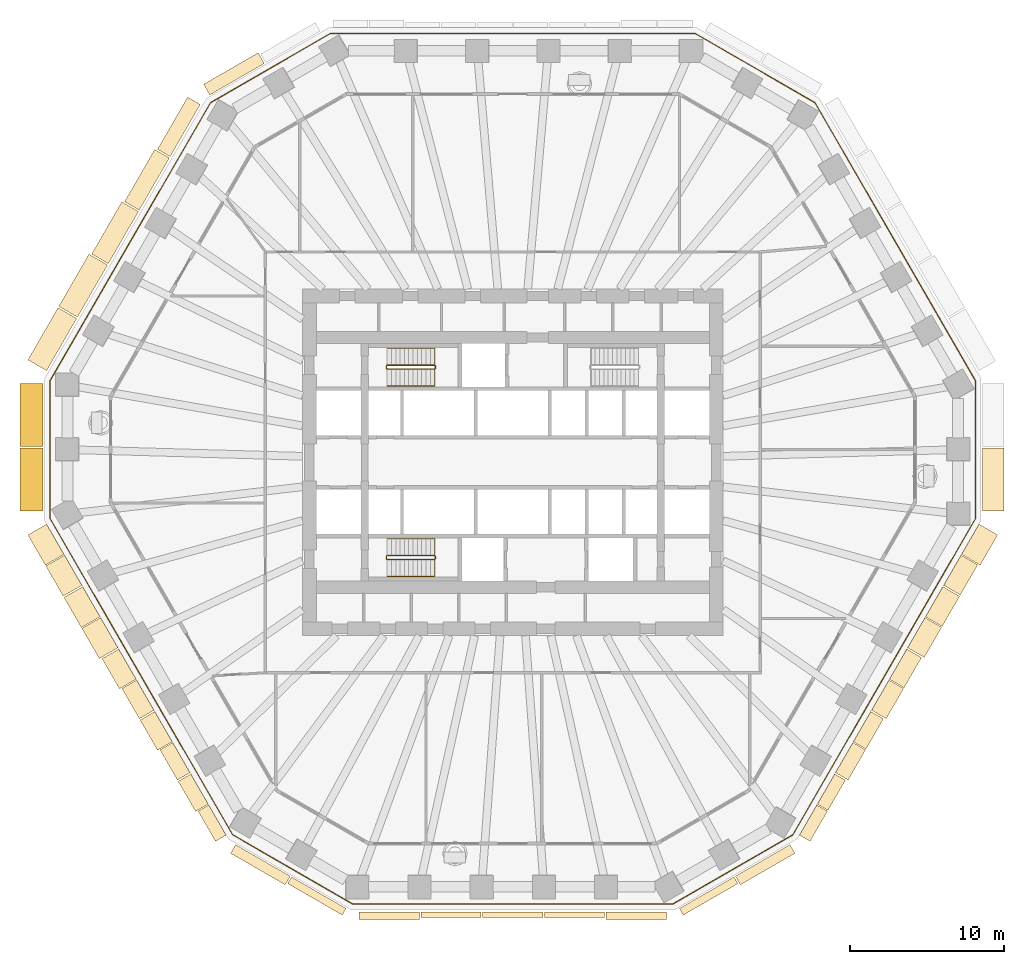
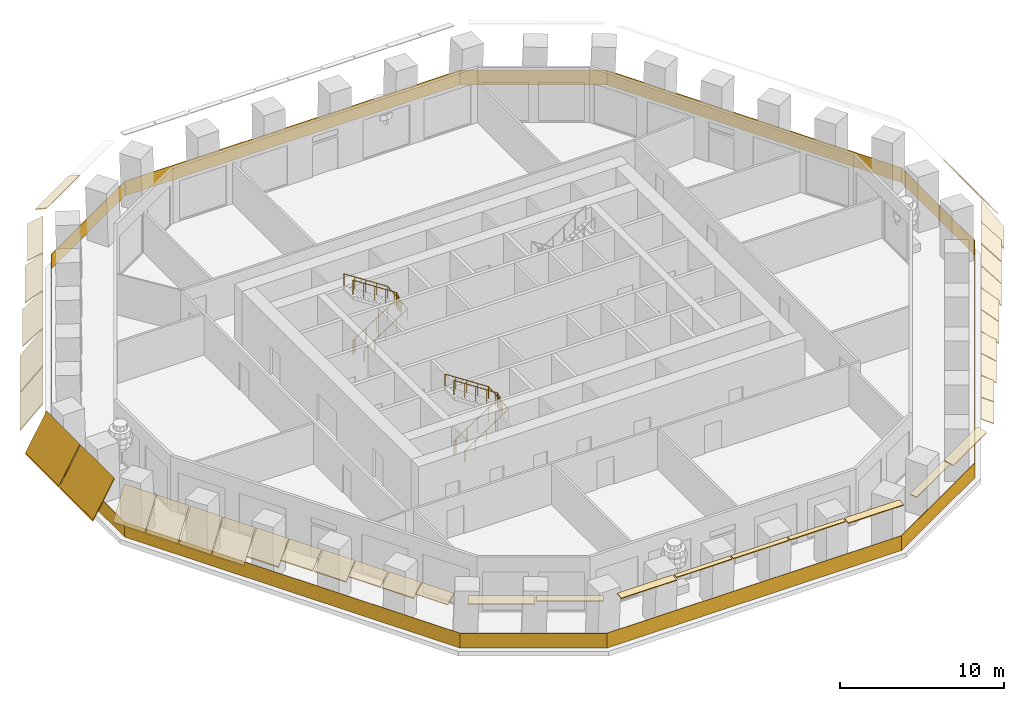
# One storey, part 9 of 12: 38 coverings, 5 railings.
"""IFC4 building model written with IfcOpenShell, lengths in metres."""

from ifc_helpers import new_model, si_unit, direction, frame, origin, origin_2d, place, context, subcontext, project, spatial, polyline, rectangle, circle, outline, extrude, material, layer, layer_set, type_object, element, save


model = new_model("IFC4")

# Units and contexts
model_context = context("Model", 3, precision=1e-05, world=origin(), true_north=direction((0.0, 1.0)))
body_context = subcontext(model_context, "Body", "Model", "MODEL_VIEW")
ifc_project = project(units=[si_unit("LENGTHUNIT", "METRE"), si_unit("AREAUNIT", "SQUARE_METRE"), si_unit("VOLUMEUNIT", "CUBIC_METRE"), si_unit("PLANEANGLEUNIT", "RADIAN"), si_unit("MASSUNIT", "GRAM", prefix="KILO")], contexts=[model_context])

# Site, building, storey
site_placement = place(None, origin())
site = spatial("IfcSite", under=ifc_project, at=site_placement, CompositionType="ELEMENT")
building_placement = place(site_placement, origin())
building = spatial("IfcBuilding", under=site, at=building_placement, Name="Frailejon Research Tower", CompositionType="ELEMENT")
storey_placement = place(building_placement, frame((0.0, 0.0, 41.0)))
storey = spatial("IfcBuildingStorey", under=building, at=storey_placement, Name="L09", CompositionType="ELEMENT", Elevation=41.0)

# Coverings
ifc_material_1 = material(Name="Precast concrete C50/60", Category="concrete")
ifc_layer_1 = layer(ifc_material_1, 0.06005859375)
ifc_layer_set_1 = layer_set([ifc_layer_1], Name="Brim blade depth 1100")
covering_type_1 = type_object("IfcCoveringType", Name="Brim blade depth 1100", PredefinedType="CLADDING", material=ifc_layer_set_1)
covering_1_placement = place(storey_placement, frame((-24.23291015625, 16.363037109375, 4.25), z_axis=(0.500008235109, 0.86602064919, 0.0), x_axis=(-0.86602064919, 0.500008235109, 0.0)))
element("IfcCovering", 1, at=covering_1_placement, inside=storey, type_object=covering_type_1, Name="Brim blade L09", PredefinedType="CLADDING", context=body_context, shape_type="SweptSolid", body=[
    extrude(outline(polyline([(0.0, -0.078369140625), (1.10009765625, -1.001220703125), (1.10009765625, -0.923095703125), (0.0, 0.0), (0.0, -0.078369140625)])), origin(), (0.0, 0.0, 1.0), 3.908203125),
])
for number, where, z_axis, x_axis, name in (
    (2, (-23.277099609375, -16.082763671875, 4.25), (-0.499993786927, 0.866028990874, 0.0), (-0.866028990874, -0.499993786927, 0.0), "Brim blade L09"),
    (3, (-22.097412109375, -18.126220703125, 4.25), (-0.500003041024, 0.866023648041, 0.0), (-0.866023648041, -0.500003041024, 0.0), "Brim blade L09"),
    (4, (24.406982421875, -14.1259765625, 4.25), (-0.499993786927, -0.866028990874, 0.0), (0.866028990874, -0.499993786927, 0.0), "Brim blade L09"),
    (5, (25.566650390625, -12.1171875, 4.25), (-0.499993786927, -0.866028990874, 0.0), (0.866028990874, -0.499993786927, 0.0), "Brim blade L09"),
):
    element("IfcCovering", number, at=place(storey_placement, frame(where, z_axis=z_axis, x_axis=x_axis)), inside=storey, type_object=covering_type_1, Name=name, PredefinedType="CLADDING", context=body_context, shape_type="SweptSolid", body=[
        extrude(outline(polyline([(0.0, -0.078369140625), (1.10009765625, -1.001220703125), (1.10009765625, -0.923095703125), (0.0, 0.0), (0.0, -0.078369140625)])), origin(), (0.0, 0.0, 1.0), 2.259521484375),
    ])
ifc_material_2 = material(Name="Precast concrete C50/60", Category="concrete")
ifc_layer_2 = layer(ifc_material_2, 0.06005859375)
ifc_layer_set_2 = layer_set([ifc_layer_2], Name="Brim blade depth 1250")
covering_type_2 = type_object("IfcCoveringType", Name="Brim blade depth 1250", PredefinedType="CLADDING", material=ifc_layer_set_2)
covering_2_placement = place(storey_placement, frame((-26.2373046875, 12.8916015625, 4.25), z_axis=(0.49999743218, 0.866026886311, 0.0), x_axis=(-0.866026886311, 0.49999743218, 0.0)))
element("IfcCovering", 6, at=covering_2_placement, inside=storey, type_object=covering_type_2, Name="Brim blade L09", PredefinedType="CLADDING", context=body_context, shape_type="SweptSolid", body=[
    extrude(outline(polyline([(0.0, -0.0888671875), (1.25, -1.452880859375), (1.25, -1.364013671875), (0.0, 0.0), (0.0, -0.0888671875)])), origin(), (0.0, 0.0, 1.0), 3.908447265625),
])
for number, where, z_axis, x_axis, name in (
    (7, (-24.43701171875, -14.073974609375, 4.25), (-0.499993786927, 0.866028990874, 0.0), (-0.866028990874, -0.499993786927, 0.0), "Brim blade L09"),
    (8, (26.746337890625, -10.07373046875, 4.25), (-0.500003041024, -0.866023648041, 0.0), (0.866023648041, -0.500003041024, 0.0), "Brim blade L09"),
    (9, (27.906005859375, -8.065185546875, 4.25), (-0.500003041024, -0.866023648041, 0.0), (0.866023648041, -0.500003041024, 0.0), "Brim blade L09"),
    (10, (29.0859375, -6.021728515625, 4.25), (-0.499993786927, -0.866028990874, 0.0), (0.866028990874, -0.499993786927, 0.0), "Brim blade L09"),
):
    element("IfcCovering", number, at=place(storey_placement, frame(where, z_axis=z_axis, x_axis=x_axis)), inside=storey, type_object=covering_type_2, Name=name, PredefinedType="CLADDING", context=body_context, shape_type="SweptSolid", body=[
        extrude(outline(polyline([(0.0, -0.0888671875), (1.25, -1.452880859375), (1.25, -1.364013671875), (0.0, 0.0), (0.0, -0.0888671875)])), origin(), (0.0, 0.0, 1.0), 2.259521484375),
    ])
ifc_material_3 = material(Name="Precast concrete C50/60", Category="concrete")
ifc_layer_3 = layer(ifc_material_3, 0.06005859375)
ifc_layer_set_3 = layer_set([ifc_layer_3], Name="Brim blade depth 1400")
covering_type_3 = type_object("IfcCoveringType", Name="Brim blade depth 1400", PredefinedType="CLADDING", material=ifc_layer_set_3)
covering_3_placement = place(storey_placement, frame((30.4716796875, 0.91796875, 4.25), z_axis=(0.0, -1.0, 0.0), x_axis=(1.0, 0.0, 0.0)))
element("IfcCovering", 11, at=covering_3_placement, inside=storey, type_object=covering_type_3, Name="Brim blade L09", PredefinedType="CLADDING", context=body_context, shape_type="SweptSolid", body=[
    extrude(outline(polyline([(0.0, -0.1044921875), (1.39990234375, -2.10400390625), (1.39990234375, -1.99951171875), (0.0, 0.0), (0.0, -0.1044921875)])), origin(), (0.0, 0.0, 1.0), 4.08740234375),
])
for number, where, z_axis, x_axis, name in (
    (12, (-28.241455078125, 9.420166015625, 4.25), (0.49999743218, 0.866026886311, 0.0), (-0.866026886311, 0.49999743218, 0.0), "Brim blade L09"),
    (13, (-30.24560546875, 5.94873046875, 4.25), (0.49999743218, 0.866026886311, 0.0), (-0.866026886311, 0.49999743218, 0.0), "Brim blade L09"),
):
    element("IfcCovering", number, at=place(storey_placement, frame(where, z_axis=z_axis, x_axis=x_axis)), inside=storey, type_object=covering_type_3, Name=name, PredefinedType="CLADDING", context=body_context, shape_type="SweptSolid", body=[
        extrude(outline(polyline([(0.0, -0.1044921875), (1.39990234375, -2.10400390625), (1.39990234375, -1.99951171875), (0.0, 0.0), (0.0, -0.1044921875)])), origin(), (0.0, 0.0, 1.0), 3.908447265625),
    ])
for number, where, z_axis, x_axis, name in (
    (14, (-29.115966796875, -5.9697265625, 4.25), (-0.499993786927, 0.866028990874, 0.0), (-0.866028990874, -0.499993786927, 0.0), "Brim blade L09"),
    (15, (-27.9560546875, -7.978515625, 4.25), (-0.499993786927, 0.866028990874, 0.0), (-0.866028990874, -0.499993786927, 0.0), "Brim blade L09"),
    (16, (-26.7763671875, -10.02197265625, 4.25), (-0.500003041024, 0.866023648041, 0.0), (-0.866023648041, -0.500003041024, 0.0), "Brim blade L09"),
    (17, (-25.61669921875, -12.030517578125, 4.25), (-0.500003041024, 0.866023648041, 0.0), (-0.866023648041, -0.500003041024, 0.0), "Brim blade L09"),
    (18, (30.24560546875, -4.012939453125, 4.25), (-0.499993786927, -0.866028990874, 0.0), (0.866028990874, -0.499993786927, 0.0), "Brim blade L09"),
):
    element("IfcCovering", number, at=place(storey_placement, frame(where, z_axis=z_axis, x_axis=x_axis)), inside=storey, type_object=covering_type_3, Name=name, PredefinedType="CLADDING", context=body_context, shape_type="SweptSolid", body=[
        extrude(outline(polyline([(0.0, -0.1044921875), (1.39990234375, -2.10400390625), (1.39990234375, -1.99951171875), (0.0, 0.0), (0.0, -0.1044921875)])), origin(), (0.0, 0.0, 1.0), 2.259521484375),
    ])
ifc_material_4 = material(Name="Precast concrete C50/60", Category="concrete")
ifc_layer_4 = layer(ifc_material_4, 0.06005859375)
ifc_layer_set_4 = layer_set([ifc_layer_4], Name="Brim blade depth 1500")
covering_type_4 = type_object("IfcCoveringType", Name="Brim blade depth 1500", PredefinedType="CLADDING", material=ifc_layer_set_4)
covering_4_placement = place(storey_placement, frame((-30.4716796875, 1.017822265625, 4.25), z_axis=(0.0, 1.0, 0.0), x_axis=(-1.0, 0.0, 0.0)))
element("IfcCovering", 19, at=covering_4_placement, inside=storey, type_object=covering_type_4, Name="Brim blade L09", PredefinedType="CLADDING", context=body_context, shape_type="SweptSolid", body=[
    extrude(outline(polyline([(0.0, -0.1201171875), (1.5, -2.718017578125), (1.5, -2.59814453125), (0.0, 0.0), (0.0, -0.1201171875)])), origin(), (0.0, 0.0, 1.0), 4.087646484375),
])
covering_5_placement = place(storey_placement, frame((-30.4716796875, -3.169677734375, 4.25), z_axis=(0.0, 1.0, 0.0), x_axis=(-1.0, 0.0, 0.0)))
element("IfcCovering", 20, at=covering_5_placement, inside=storey, type_object=covering_type_4, Name="Brim blade L09", PredefinedType="CLADDING", context=body_context, shape_type="SweptSolid", body=[
    extrude(outline(polyline([(0.0, -0.1201171875), (1.5, -2.718017578125), (1.5, -2.59814453125), (0.0, 0.0), (0.0, -0.1201171875)])), origin(), (0.0, 0.0, 1.0), 4.08740234375),
])
ifc_material_5 = material(Name="Precast concrete C50/60", Category="concrete")
ifc_layer_5 = layer(ifc_material_5, 0.06005859375)
ifc_layer_set_5 = layer_set([ifc_layer_5], Name="Brim blade depth 350")
covering_type_5 = type_object("IfcCoveringType", Name="Brim blade depth 350", PredefinedType="CLADDING", material=ifc_layer_set_5)
for number, where, z_axis, x_axis, name in (
    (21, (-2.05419921875, -29.16796875, 4.25), (-1.0, 0.0, 0.0), (0.0, -1.0, 0.0), "Brim blade L09"),
    (22, (1.9541015625, -29.16796875, 4.25), (-1.0, 0.0, 0.0), (0.0, -1.0, 0.0), "Brim blade L09"),
    (23, (5.962646484375, -29.16796875, 4.25), (-1.0, 0.0, 0.0), (0.0, -1.0, 0.0), "Brim blade L09"),
):
    element("IfcCovering", number, at=place(storey_placement, frame(where, z_axis=z_axis, x_axis=x_axis)), inside=storey, type_object=covering_type_5, Name=name, PredefinedType="CLADDING", context=body_context, shape_type="SweptSolid", body=[
        extrude(outline(polyline([(0.0, -0.06005859375), (0.35009765625, -0.06005859375), (0.35009765625, 0.0), (0.0, 0.0), (0.0, -0.06005859375)])), origin(), (0.0, 0.0, 1.0), 3.908447265625),
    ])
ifc_material_6 = material(Name="Precast concrete C50/60", Category="concrete")
ifc_layer_6 = layer(ifc_material_6, 0.06005859375)
ifc_layer_set_6 = layer_set([ifc_layer_6], Name="Brim blade depth 500")
covering_type_6 = type_object("IfcCoveringType", Name="Brim blade depth 500", PredefinedType="CLADDING", material=ifc_layer_set_6)
covering_6_placement = place(storey_placement, frame((-10.814208984375, -28.94189453125, 4.25), z_axis=(-0.866027315287, 0.499996689166, 0.0), x_axis=(-0.499996689166, -0.866027315287, 0.0)))
element("IfcCovering", 24, at=covering_6_placement, inside=storey, type_object=covering_type_6, Name="Brim blade L09", PredefinedType="CLADDING", context=body_context, shape_type="SweptSolid", body=[
    extrude(outline(polyline([(0.0, -0.060546875), (0.5, -0.130859375), (0.5, -0.0703125), (0.0, 0.0), (0.0, -0.060546875)])), origin(), (0.0, 0.0, 1.0), 4.087646484375),
])
for number, where, z_axis, x_axis, name in (
    (25, (-6.0625, -29.16796875, 4.25), (-1.0, 0.0, 0.0), (0.0, -1.0, 0.0), "Brim blade L09"),
    (26, (9.970947265625, -29.16796875, 4.25), (-1.0, 0.0, 0.0), (0.0, -1.0, 0.0), "Brim blade L09"),
):
    element("IfcCovering", number, at=place(storey_placement, frame(where, z_axis=z_axis, x_axis=x_axis)), inside=storey, type_object=covering_type_6, Name=name, PredefinedType="CLADDING", context=body_context, shape_type="SweptSolid", body=[
        extrude(outline(polyline([(0.0, -0.060546875), (0.5, -0.130859375), (0.5, -0.0703125), (0.0, 0.0), (0.0, -0.060546875)])), origin(), (0.0, 0.0, 1.0), 3.908447265625),
    ])
covering_7_placement = place(storey_placement, frame((14.354248046875, -26.898193359375, 4.25), z_axis=(-0.866027315287, -0.499996689166, 0.0), x_axis=(0.499996689166, -0.866027315287, 0.0)))
element("IfcCovering", 27, at=covering_7_placement, inside=storey, type_object=covering_type_6, Name="Brim blade L09", PredefinedType="CLADDING", context=body_context, shape_type="SweptSolid", body=[
    extrude(outline(polyline([(0.0, -0.060546875), (0.5, -0.130859375), (0.5, -0.0703125), (0.0, 0.0), (0.0, -0.060546875)])), origin(), (0.0, 0.0, 1.0), 4.087646484375),
])
ifc_material_7 = material(Name="Precast concrete C50/60", Category="concrete")
ifc_layer_7 = layer(ifc_material_7, 0.06005859375)
ifc_layer_set_7 = layer_set([ifc_layer_7], Name="Brim blade depth 650")
covering_type_7 = type_object("IfcCoveringType", Name="Brim blade depth 650", PredefinedType="CLADDING", material=ifc_layer_set_7)
for number, where, z_axis, x_axis, name in (
    (28, (-14.44091796875, -26.84814453125, 4.25), (-0.866031685881, 0.499989118931, 0.0), (-0.499989118931, -0.866031685881, 0.0), "Brim blade L09"),
    (29, (17.980712890625, -24.804443359375, 4.25), (-0.866031685881, -0.499989118931, 0.0), (0.499989118931, -0.866031685881, 0.0), "Brim blade L09"),
):
    element("IfcCovering", number, at=place(storey_placement, frame(where, z_axis=z_axis, x_axis=x_axis)), inside=storey, type_object=covering_type_7, Name=name, PredefinedType="CLADDING", context=body_context, shape_type="SweptSolid", body=[
        extrude(outline(polyline([(0.0, -0.0625), (0.64990234375, -0.248779296875), (0.64990234375, -0.186279296875), (0.0, 0.0), (0.0, -0.0625)])), origin(), (0.0, 0.0, 1.0), 4.08740234375),
    ])
ifc_material_8 = material(Name="Precast concrete C50/60", Category="concrete")
ifc_layer_8 = layer(ifc_material_8, 0.06005859375)
ifc_layer_set_8 = layer_set([ifc_layer_8], Name="Brim blade depth 800")
covering_type_8 = type_object("IfcCoveringType", Name="Brim blade depth 800", PredefinedType="CLADDING", material=ifc_layer_set_8)
covering_8_placement = place(storey_placement, frame((-19.6572265625, 23.83642578125, 4.25), z_axis=(0.866021344981, 0.500007029989, 0.0), x_axis=(-0.500007029989, 0.866021344981, 0.0)))
element("IfcCovering", 30, at=covering_8_placement, inside=storey, type_object=covering_type_8, Name="Brim blade L09", PredefinedType="CLADDING", context=body_context, shape_type="SweptSolid", body=[
    extrude(outline(polyline([(0.0, -0.065673828125), (0.800048828125, -0.421875), (0.800048828125, -0.356201171875), (0.0, 0.0), (0.0, -0.065673828125)])), origin(), (0.0, 0.0, 1.0), 4.08740234375),
])
for number, where, z_axis, x_axis, name in (
    (31, (-18.59814453125, -24.18701171875, 4.25), (-0.499993786927, 0.866028990874, 0.0), (-0.866028990874, -0.499993786927, 0.0), "Brim blade L09"),
    (32, (19.727783203125, -22.230224609375, 4.25), (-0.499993786927, -0.866028990874, 0.0), (0.866028990874, -0.499993786927, 0.0), "Brim blade L09"),
    (33, (20.8876953125, -20.221435546875, 4.25), (-0.499993786927, -0.866028990874, 0.0), (0.866028990874, -0.499993786927, 0.0), "Brim blade L09"),
):
    element("IfcCovering", number, at=place(storey_placement, frame(where, z_axis=z_axis, x_axis=x_axis)), inside=storey, type_object=covering_type_8, Name=name, PredefinedType="CLADDING", context=body_context, shape_type="SweptSolid", body=[
        extrude(outline(polyline([(0.0, -0.065673828125), (0.800048828125, -0.421875), (0.800048828125, -0.356201171875), (0.0, 0.0), (0.0, -0.065673828125)])), origin(), (0.0, 0.0, 1.0), 2.259521484375),
    ])
ifc_material_9 = material(Name="Precast concrete C50/60", Category="concrete")
ifc_layer_9 = layer(ifc_material_9, 0.06005859375)
ifc_layer_set_9 = layer_set([ifc_layer_9], Name="Brim blade depth 950")
covering_type_9 = type_object("IfcCoveringType", Name="Brim blade depth 950", PredefinedType="CLADDING", material=ifc_layer_set_9)
covering_9_placement = place(storey_placement, frame((-22.228759765625, 19.834228515625, 4.25), z_axis=(0.49999743218, 0.866026886311, 0.0), x_axis=(-0.866026886311, 0.49999743218, 0.0)))
element("IfcCovering", 34, at=covering_9_placement, inside=storey, type_object=covering_type_9, Name="Brim blade L09", PredefinedType="CLADDING", context=body_context, shape_type="SweptSolid", body=[
    extrude(outline(polyline([(0.0, -0.07080078125), (0.949951171875, -0.664306640625), (0.949951171875, -0.593505859375), (0.0, 0.0), (0.0, -0.07080078125)])), origin(), (0.0, 0.0, 1.0), 3.908447265625),
])
for number, where, z_axis, x_axis, name in (
    (35, (-20.9375, -20.135009765625, 4.25), (-0.500003041024, 0.866023648041, 0.0), (-0.866023648041, -0.500003041024, 0.0), "Brim blade L09"),
    (36, (-19.7578125, -22.17822265625, 4.25), (-0.499993786927, 0.866028990874, 0.0), (-0.866028990874, -0.499993786927, 0.0), "Brim blade L09"),
    (37, (22.0673828125, -18.177978515625, 4.25), (-0.500003041024, -0.866023648041, 0.0), (0.866023648041, -0.500003041024, 0.0), "Brim blade L09"),
    (38, (23.22705078125, -16.16943359375, 4.25), (-0.500003041024, -0.866023648041, 0.0), (0.866023648041, -0.500003041024, 0.0), "Brim blade L09"),
):
    element("IfcCovering", number, at=place(storey_placement, frame(where, z_axis=z_axis, x_axis=x_axis)), inside=storey, type_object=covering_type_9, Name=name, PredefinedType="CLADDING", context=body_context, shape_type="SweptSolid", body=[
        extrude(outline(polyline([(0.0, -0.07080078125), (0.949951171875, -0.664306640625), (0.949951171875, -0.593505859375), (0.0, 0.0), (0.0, -0.07080078125)])), origin(), (0.0, 0.0, 1.0), 2.259521484375),
    ])

# Railings
ifc_material_10 = material(Name="Laminated glass balustrade", Category="glass")
railing_type_1 = type_object("IfcRailingType", Name="Glass guard 1100", PredefinedType="GUARDRAIL", material=ifc_material_10)
railing_1_placement = place(storey_placement, frame((30.0126953125, -3.658203125, 0.0)))
element("IfcRailing", 39, at=railing_1_placement, inside=storey, type_object=railing_type_1, Name="Loggia guard L09", PredefinedType="GUARDRAIL", context=body_context, shape_type="SweptSolid", body=[
    extrude(rectangle(XDim=8.9755859375, YDim=0.030029296875, at=origin_2d()), frame((0.0, 4.48779296875, 0.0), z_axis=(0.0, 0.0, 1.0), x_axis=(0.0, 1.0, 0.0)), (0.0, 0.0, 1.0), 1.10009765625),
    extrude(rectangle(XDim=20.802734375, YDim=0.030029296875, at=origin_2d()), frame((-5.20068359375, 17.9833984375, 0.0), z_axis=(0.0, 0.0, 1.0), x_axis=(-0.500001486976, 0.866024545277, 0.0)), (0.0, 0.0, 1.0), 1.10009765625),
    extrude(rectangle(XDim=8.9755859375, YDim=0.030029296875, at=origin_2d()), frame((-14.2880859375, 29.235107421875, 0.0), z_axis=(0.0, 0.0, 1.0), x_axis=(-0.866028409771, 0.499994793442, 0.0)), (0.0, 0.0, 1.0), 1.10009765625),
    extrude(rectangle(XDim=23.67626953125, YDim=0.030029296875, at=origin_2d()), frame((-30.0126953125, 31.47900390625, 0.0), z_axis=(0.0, 0.0, 1.0), x_axis=(-1.0, 0.0, 0.0)), (0.0, 0.0, 1.0), 1.10009765625),
    extrude(rectangle(XDim=8.9755859375, YDim=0.030029296875, at=origin_2d()), frame((-45.7373046875, 29.235107421875, 0.0), z_axis=(0.0, 0.0, 1.0), x_axis=(-0.866028409771, -0.499994793442, 0.0)), (0.0, 0.0, 1.0), 1.10009765625),
    extrude(rectangle(XDim=20.802734375, YDim=0.030029296875, at=origin_2d()), frame((-54.82470703125, 17.9833984375, 0.0), z_axis=(0.0, 0.0, 1.0), x_axis=(-0.500001486976, -0.866024545277, 0.0)), (0.0, 0.0, 1.0), 1.10009765625),
    extrude(rectangle(XDim=8.9755859375, YDim=0.030029296875, at=origin_2d()), frame((-60.025390625, 4.48779296875, 0.0), z_axis=(0.0, 0.0, 1.0), x_axis=(0.0, -1.0, 0.0)), (0.0, 0.0, 1.0), 1.10009765625),
    extrude(rectangle(XDim=23.676513671875, YDim=0.030029296875, at=origin_2d()), frame((-54.106201171875, -10.252197265625, 0.0), z_axis=(0.0, 0.0, 1.0), x_axis=(0.500005106446, -0.866022455557, 0.0)), (0.0, 0.0, 1.0), 1.10009765625),
    extrude(rectangle(XDim=8.9755859375, YDim=0.030029296875, at=origin_2d()), frame((-44.30029296875, -22.748291015625, 0.0), z_axis=(0.0, 0.0, 1.0), x_axis=(0.866028409771, -0.499994793442, 0.0)), (0.0, 0.0, 1.0), 1.10009765625),
    extrude(rectangle(XDim=20.80224609375, YDim=0.030029296875, at=origin_2d()), frame((-30.0126953125, -24.9921875, 0.0), z_axis=(0.0, 0.0, 1.0), x_axis=(1.0, 0.0, 0.0)), (0.0, 0.0, 1.0), 1.10009765625),
    extrude(rectangle(XDim=8.9755859375, YDim=0.030029296875, at=origin_2d()), frame((-15.72509765625, -22.748291015625, 0.0), z_axis=(0.0, 0.0, 1.0), x_axis=(0.866028409771, 0.499994793442, 0.0)), (0.0, 0.0, 1.0), 1.10009765625),
    extrude(rectangle(XDim=23.606201171875, YDim=0.030029296875, at=origin_2d()), frame((-5.936767578125, -10.28271484375, 0.0), z_axis=(0.0, 0.0, 1.0), x_axis=(0.500003261732, 0.866023520615, 0.0)), (0.0, 0.0, 1.0), 1.10009765625),
])
ifc_material_11 = material(Name="Stainless steel", Category="steel")
railing_type_2 = type_object("IfcRailingType", Name="Stair guard 1100", PredefinedType="GUARDRAIL", material=ifc_material_11)
railing_2_placement = place(storey_placement, frame((-8.199951171875, 6.25, 0.0)))
element("IfcRailing", 40, at=railing_2_placement, inside=storey, type_object=railing_type_2, Name="L09 ST1 stair guard 1", PredefinedType="GUARDRAIL", context=body_context, shape_type="SweptSolid", body=[
    extrude(circle(Radius=0.02392578125, at=origin_2d()), frame((0.0, 0.0, 1.076171875), z_axis=(0.0, -1.0, 0.0), x_axis=(1.0, 0.0, 0.0)), (0.0, 0.0, 1.0), 0.14990234375),
    extrude(circle(Radius=0.02392578125, at=origin_2d()), frame((0.0, -0.14990234375, 1.076171875), z_axis=(0.254653276557, -0.254653276557, 0.932900539971), x_axis=(0.707106781187, 0.707106781187, 0.0)), (0.0, 0.0, 1.0), 0.196533203125),
    extrude(circle(Radius=0.02392578125, at=origin_2d()), frame((0.050048828125, -0.199951171875, 1.25927734375), z_axis=(0.836613101238, 0.0, 0.547794230379), x_axis=(0.0, 1.0, 0.0)), (0.0, 0.0, 1.0), 3.681396484375),
    extrude(circle(Radius=0.02392578125, at=origin_2d()), frame((3.1298828125, -0.199951171875, 3.27587890625), z_axis=(0.707106781187, 0.707106781187, 0.0), x_axis=(-0.707106781187, 0.707106781187, 0.0)), (0.0, 0.0, 1.0), 0.07080078125),
    extrude(circle(Radius=0.02392578125, at=origin_2d()), frame((3.179931640625, -0.14990234375, 3.27587890625), z_axis=(0.0, 1.0, 0.0), x_axis=(-1.0, 0.0, 0.0)), (0.0, 0.0, 1.0), 0.14990234375),
    extrude(circle(Radius=0.02392578125, at=origin_2d()), frame((3.179931640625, 0.0, 3.27587890625), z_axis=(-0.254653276557, 0.254653276557, 0.932900539971), x_axis=(-0.707106781187, -0.707106781187, 0.0)), (0.0, 0.0, 1.0), 0.196533203125),
    extrude(circle(Radius=0.02392578125, at=origin_2d()), frame((3.1298828125, 0.050048828125, 3.45947265625), z_axis=(-0.836613101238, 0.0, 0.547794230379), x_axis=(0.0, -1.0, 0.0)), (0.0, 0.0, 1.0), 3.681396484375),
    extrude(circle(Radius=0.02099609375, at=origin_2d()), origin(), (0.0, 0.0, 1.0), 1.052001953125),
    extrude(circle(Radius=0.02099609375, at=origin_2d()), frame((0.0, -0.14990234375, 0.0)), (0.0, 0.0, 1.0), 1.052001953125),
    extrude(circle(Radius=0.02099609375, at=origin_2d()), frame((0.050048828125, -0.199951171875, 0.183349609375)), (0.0, 0.0, 1.0), 1.052001953125),
    extrude(circle(Radius=0.02099609375, at=origin_2d()), frame((0.820068359375, -0.199951171875, 0.6875)), (0.0, 0.0, 1.0), 1.052001953125),
    extrude(circle(Radius=0.02099609375, at=origin_2d()), frame((1.58984375, -0.199951171875, 1.191650390625)), (0.0, 0.0, 1.0), 1.052001953125),
    extrude(circle(Radius=0.02099609375, at=origin_2d()), frame((2.35986328125, -0.199951171875, 1.69580078125)), (0.0, 0.0, 1.0), 1.052001953125),
    extrude(circle(Radius=0.02099609375, at=origin_2d()), frame((3.1298828125, -0.199951171875, 2.199951171875)), (0.0, 0.0, 1.0), 1.052001953125),
    extrude(circle(Radius=0.02099609375, at=origin_2d()), frame((3.179931640625, -0.14990234375, 2.199951171875)), (0.0, 0.0, 1.0), 1.052001953125),
    extrude(circle(Radius=0.02099609375, at=origin_2d()), frame((3.179931640625, 0.0, 2.199951171875)), (0.0, 0.0, 1.0), 1.052001953125),
    extrude(circle(Radius=0.02099609375, at=origin_2d()), frame((3.1298828125, 0.050048828125, 2.38330078125)), (0.0, 0.0, 1.0), 1.052001953125),
    extrude(circle(Radius=0.02099609375, at=origin_2d()), frame((2.35986328125, 0.050048828125, 2.887451171875)), (0.0, 0.0, 1.0), 1.052001953125),
    extrude(circle(Radius=0.02099609375, at=origin_2d()), frame((1.58984375, 0.050048828125, 3.3916015625)), (0.0, 0.0, 1.0), 1.052001953125),
    extrude(circle(Radius=0.02099609375, at=origin_2d()), frame((0.820068359375, 0.050048828125, 3.895751953125)), (0.0, 0.0, 1.0), 1.052001953125),
    extrude(circle(Radius=0.02099609375, at=origin_2d()), frame((0.050048828125, 0.050048828125, 4.39990234375)), (0.0, 0.0, 1.0), 1.052001953125),
])
railing_3_placement = place(storey_placement, frame((-8.199951171875, -6.10009765625, 0.0)))
element("IfcRailing", 41, at=railing_3_placement, inside=storey, type_object=railing_type_2, Name="L09 ST2 stair guard 1", PredefinedType="GUARDRAIL", context=body_context, shape_type="SweptSolid", body=[
    extrude(circle(Radius=0.02392578125, at=origin_2d()), frame((0.0, 0.0, 1.076171875), z_axis=(0.0, -1.0, 0.0), x_axis=(1.0, 0.0, 0.0)), (0.0, 0.0, 1.0), 0.14990234375),
    extrude(circle(Radius=0.02392578125, at=origin_2d()), frame((0.0, -0.14990234375, 1.076171875), z_axis=(0.254653276557, -0.254653276557, 0.932900539971), x_axis=(0.707106781187, 0.707106781187, 0.0)), (0.0, 0.0, 1.0), 0.196533203125),
    extrude(circle(Radius=0.02392578125, at=origin_2d()), frame((0.050048828125, -0.199951171875, 1.25927734375), z_axis=(0.836613101238, 0.0, 0.547794230379), x_axis=(0.0, 1.0, 0.0)), (0.0, 0.0, 1.0), 3.681396484375),
    extrude(circle(Radius=0.02392578125, at=origin_2d()), frame((3.1298828125, -0.199951171875, 3.27587890625), z_axis=(0.707106781187, 0.707106781187, 0.0), x_axis=(-0.707106781187, 0.707106781187, 0.0)), (0.0, 0.0, 1.0), 0.07080078125),
    extrude(circle(Radius=0.02392578125, at=origin_2d()), frame((3.179931640625, -0.14990234375, 3.27587890625), z_axis=(0.0, 1.0, 0.0), x_axis=(-1.0, 0.0, 0.0)), (0.0, 0.0, 1.0), 0.14990234375),
    extrude(circle(Radius=0.02392578125, at=origin_2d()), frame((3.179931640625, 0.0, 3.27587890625), z_axis=(-0.254653276557, 0.254653276557, 0.932900539971), x_axis=(-0.707106781187, -0.707106781187, 0.0)), (0.0, 0.0, 1.0), 0.196533203125),
    extrude(circle(Radius=0.02392578125, at=origin_2d()), frame((3.1298828125, 0.050048828125, 3.45947265625), z_axis=(-0.836613101238, 0.0, 0.547794230379), x_axis=(0.0, -1.0, 0.0)), (0.0, 0.0, 1.0), 3.681396484375),
    extrude(circle(Radius=0.02099609375, at=origin_2d()), origin(), (0.0, 0.0, 1.0), 1.052001953125),
    extrude(circle(Radius=0.02099609375, at=origin_2d()), frame((0.0, -0.14990234375, 0.0)), (0.0, 0.0, 1.0), 1.052001953125),
    extrude(circle(Radius=0.02099609375, at=origin_2d()), frame((0.050048828125, -0.199951171875, 0.183349609375)), (0.0, 0.0, 1.0), 1.052001953125),
    extrude(circle(Radius=0.02099609375, at=origin_2d()), frame((0.820068359375, -0.199951171875, 0.6875)), (0.0, 0.0, 1.0), 1.052001953125),
    extrude(circle(Radius=0.02099609375, at=origin_2d()), frame((1.58984375, -0.199951171875, 1.191650390625)), (0.0, 0.0, 1.0), 1.052001953125),
    extrude(circle(Radius=0.02099609375, at=origin_2d()), frame((2.35986328125, -0.199951171875, 1.69580078125)), (0.0, 0.0, 1.0), 1.052001953125),
    extrude(circle(Radius=0.02099609375, at=origin_2d()), frame((3.1298828125, -0.199951171875, 2.199951171875)), (0.0, 0.0, 1.0), 1.052001953125),
    extrude(circle(Radius=0.02099609375, at=origin_2d()), frame((3.179931640625, -0.14990234375, 2.199951171875)), (0.0, 0.0, 1.0), 1.052001953125),
    extrude(circle(Radius=0.02099609375, at=origin_2d()), frame((3.179931640625, 0.0, 2.199951171875)), (0.0, 0.0, 1.0), 1.052001953125),
    extrude(circle(Radius=0.02099609375, at=origin_2d()), frame((3.1298828125, 0.050048828125, 2.38330078125)), (0.0, 0.0, 1.0), 1.052001953125),
    extrude(circle(Radius=0.02099609375, at=origin_2d()), frame((2.35986328125, 0.050048828125, 2.887451171875)), (0.0, 0.0, 1.0), 1.052001953125),
    extrude(circle(Radius=0.02099609375, at=origin_2d()), frame((1.58984375, 0.050048828125, 3.3916015625)), (0.0, 0.0, 1.0), 1.052001953125),
    extrude(circle(Radius=0.02099609375, at=origin_2d()), frame((0.820068359375, 0.050048828125, 3.895751953125)), (0.0, 0.0, 1.0), 1.052001953125),
    extrude(circle(Radius=0.02099609375, at=origin_2d()), frame((0.050048828125, 0.050048828125, 4.39990234375)), (0.0, 0.0, 1.0), 1.052001953125),
])
ifc_material_12 = material(Name="Stainless steel", Category="steel")
railing_type_3 = type_object("IfcRailingType", Name="Stair handrail 900", PredefinedType="HANDRAIL", material=ifc_material_12)
railing_4_placement = place(storey_placement, frame((-8.14990234375, 4.949951171875, 0.183349609375)))
element("IfcRailing", 42, at=railing_4_placement, inside=storey, type_object=railing_type_3, Name="L09 ST1 stair handrail 1", PredefinedType="HANDRAIL", context=body_context, shape_type="SweptSolid", body=[
    extrude(circle(Radius=0.02392578125, at=origin_2d()), frame((0.0, 0.0, 0.8759765625), z_axis=(0.836613101238, 0.0, 0.547794230379), x_axis=(0.0, 1.0, 0.0)), (0.0, 0.0, 1.0), 3.681396484375),
    extrude(circle(Radius=0.02392578125, at=origin_2d()), frame((3.079833984375, 0.0, 2.892578125), z_axis=(0.0, 0.99721134034, 0.074629368868), x_axis=(-1.0, 0.0, 0.0)), (0.0, 0.0, 1.0), 2.456787109375),
    extrude(circle(Radius=0.02392578125, at=origin_2d()), frame((3.079833984375, 2.449951171875, 3.07568359375), z_axis=(-0.836613101238, 0.0, 0.547794230379), x_axis=(0.0, -1.0, 0.0)), (0.0, 0.0, 1.0), 3.681396484375),
    extrude(circle(Radius=0.02099609375, at=origin_2d()), origin(), (0.0, 0.0, 1.0), 0.851806640625),
    extrude(circle(Radius=0.02099609375, at=origin_2d()), frame((0.77001953125, 0.0, 0.504150390625)), (0.0, 0.0, 1.0), 0.851806640625),
    extrude(circle(Radius=0.02099609375, at=origin_2d()), frame((1.5400390625, 0.0, 1.00830078125)), (0.0, 0.0, 1.0), 0.851806640625),
    extrude(circle(Radius=0.02099609375, at=origin_2d()), frame((2.309814453125, 0.0, 1.512451171875)), (0.0, 0.0, 1.0), 0.851806640625),
    extrude(circle(Radius=0.02099609375, at=origin_2d()), frame((3.079833984375, 0.0, 2.0166015625)), (0.0, 0.0, 1.0), 0.851806640625),
    extrude(circle(Radius=0.02099609375, at=origin_2d()), frame((3.079833984375, 0.816650390625, 2.07763671875)), (0.0, 0.0, 1.0), 0.851806640625),
    extrude(circle(Radius=0.02099609375, at=origin_2d()), frame((3.079833984375, 1.63330078125, 2.138916015625)), (0.0, 0.0, 1.0), 0.851806640625),
    extrude(circle(Radius=0.02099609375, at=origin_2d()), frame((3.079833984375, 2.449951171875, 2.199951171875)), (0.0, 0.0, 1.0), 0.851806640625),
    extrude(circle(Radius=0.02099609375, at=origin_2d()), frame((2.309814453125, 2.449951171875, 2.7041015625)), (0.0, 0.0, 1.0), 0.851806640625),
    extrude(circle(Radius=0.02099609375, at=origin_2d()), frame((1.5400390625, 2.449951171875, 3.208251953125)), (0.0, 0.0, 1.0), 0.851806640625),
    extrude(circle(Radius=0.02099609375, at=origin_2d()), frame((0.77001953125, 2.449951171875, 3.71240234375)), (0.0, 0.0, 1.0), 0.851806640625),
    extrude(circle(Radius=0.02099609375, at=origin_2d()), frame((0.0, 2.449951171875, 4.216552734375)), (0.0, 0.0, 1.0), 0.851806640625),
])
railing_5_placement = place(storey_placement, frame((-8.14990234375, -7.39990234375, 0.183349609375)))
element("IfcRailing", 43, at=railing_5_placement, inside=storey, type_object=railing_type_3, Name="L09 ST2 stair handrail 1", PredefinedType="HANDRAIL", context=body_context, shape_type="SweptSolid", body=[
    extrude(circle(Radius=0.02392578125, at=origin_2d()), frame((0.0, 0.0, 0.8759765625), z_axis=(0.836613101238, 0.0, 0.547794230379), x_axis=(0.0, 1.0, 0.0)), (0.0, 0.0, 1.0), 3.681396484375),
    extrude(circle(Radius=0.02392578125, at=origin_2d()), frame((3.079833984375, 0.0, 2.892578125), z_axis=(0.0, 0.99721134034, 0.074629368868), x_axis=(-1.0, 0.0, 0.0)), (0.0, 0.0, 1.0), 2.456787109375),
    extrude(circle(Radius=0.02392578125, at=origin_2d()), frame((3.079833984375, 2.449951171875, 3.07568359375), z_axis=(-0.836613101238, 0.0, 0.547794230379), x_axis=(0.0, -1.0, 0.0)), (0.0, 0.0, 1.0), 3.681396484375),
    extrude(circle(Radius=0.02099609375, at=origin_2d()), origin(), (0.0, 0.0, 1.0), 0.851806640625),
    extrude(circle(Radius=0.02099609375, at=origin_2d()), frame((0.77001953125, 0.0, 0.504150390625)), (0.0, 0.0, 1.0), 0.851806640625),
    extrude(circle(Radius=0.02099609375, at=origin_2d()), frame((1.5400390625, 0.0, 1.00830078125)), (0.0, 0.0, 1.0), 0.851806640625),
    extrude(circle(Radius=0.02099609375, at=origin_2d()), frame((2.309814453125, 0.0, 1.512451171875)), (0.0, 0.0, 1.0), 0.851806640625),
    extrude(circle(Radius=0.02099609375, at=origin_2d()), frame((3.079833984375, 0.0, 2.0166015625)), (0.0, 0.0, 1.0), 0.851806640625),
    extrude(circle(Radius=0.02099609375, at=origin_2d()), frame((3.079833984375, 0.816650390625, 2.07763671875)), (0.0, 0.0, 1.0), 0.851806640625),
    extrude(circle(Radius=0.02099609375, at=origin_2d()), frame((3.079833984375, 1.63330078125, 2.138916015625)), (0.0, 0.0, 1.0), 0.851806640625),
    extrude(circle(Radius=0.02099609375, at=origin_2d()), frame((3.079833984375, 2.449951171875, 2.199951171875)), (0.0, 0.0, 1.0), 0.851806640625),
    extrude(circle(Radius=0.02099609375, at=origin_2d()), frame((2.309814453125, 2.449951171875, 2.7041015625)), (0.0, 0.0, 1.0), 0.851806640625),
    extrude(circle(Radius=0.02099609375, at=origin_2d()), frame((1.5400390625, 2.449951171875, 3.208251953125)), (0.0, 0.0, 1.0), 0.851806640625),
    extrude(circle(Radius=0.02099609375, at=origin_2d()), frame((0.77001953125, 2.449951171875, 3.71240234375)), (0.0, 0.0, 1.0), 0.851806640625),
    extrude(circle(Radius=0.02099609375, at=origin_2d()), frame((0.0, 2.449951171875, 4.216552734375)), (0.0, 0.0, 1.0), 0.851806640625),
])

save(model, "model.ifc")
